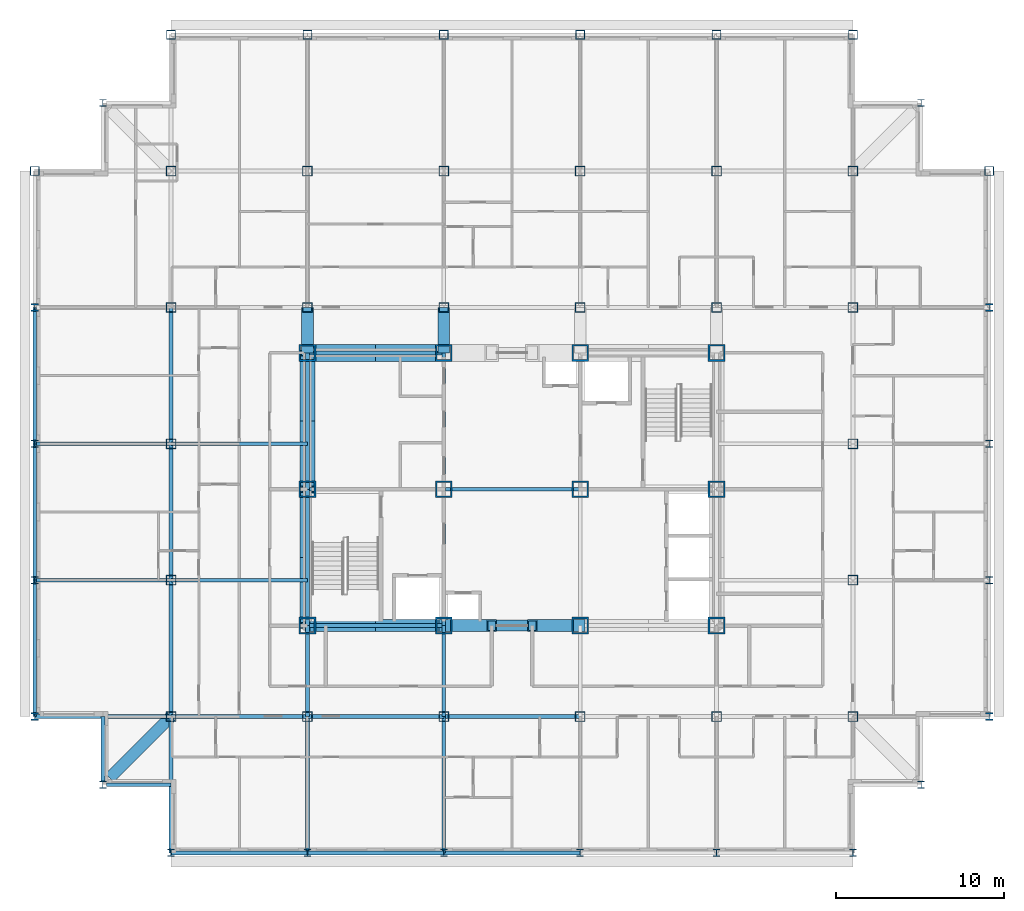
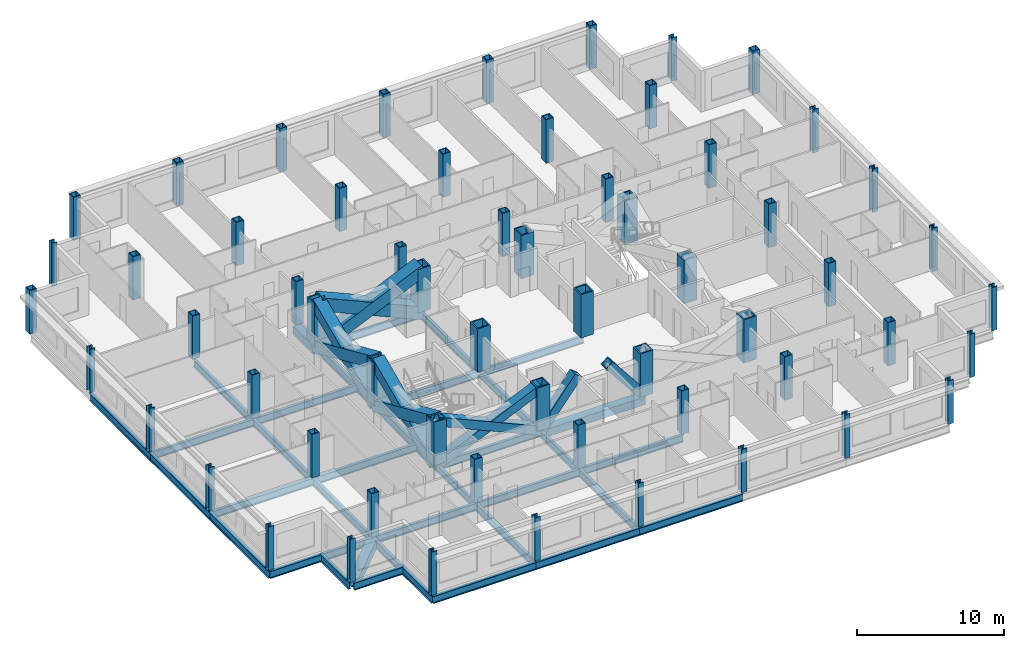
# One storey, part 1 of 12: 60 columns, 36 beams, 10 members.
"""IFC4 building model written with IfcOpenShell, lengths in metres."""

from ifc_helpers import new_model, si_unit, direction, frame, origin, origin_2d, place, context, subcontext, project, spatial, hollow_rectangle, i_section, extrude, material, material_profile, profile_set, type_object, element, save


model = new_model("IFC4")

# Units and contexts
model_context = context("Model", 3, precision=1e-05, world=origin(), true_north=direction((0.0, 1.0)))
body_context = subcontext(model_context, "Body", "Model", "MODEL_VIEW")
ifc_project = project(units=[si_unit("LENGTHUNIT", "METRE"), si_unit("AREAUNIT", "SQUARE_METRE"), si_unit("VOLUMEUNIT", "CUBIC_METRE"), si_unit("PLANEANGLEUNIT", "RADIAN"), si_unit("MASSUNIT", "GRAM", prefix="KILO")], contexts=[model_context])

# Site, building, storey
site_placement = place(None, origin())
site = spatial("IfcSite", under=ifc_project, at=site_placement, CompositionType="ELEMENT")
building_placement = place(site_placement, origin())
building = spatial("IfcBuilding", under=site, at=building_placement, Name="Kopane Lantern Tower", CompositionType="ELEMENT")
storey_placement = place(building_placement, frame((0.0, 0.0, 213.60009765625)))
storey = spatial("IfcBuildingStorey", under=building, at=storey_placement, Name="L55", CompositionType="ELEMENT", Elevation=213.60009765625)

# Columns
ifc_material_1 = material(Name="Steel S355JR", Category="steel")
ifc_material_profile_1 = material_profile(ifc_material_1, hollow_rectangle(XDim=1.0, YDim=1.0, WallThickness=0.10009765625, at=origin_2d()), Name="BOX 1000x1000x100")
ifc_profile_set_1 = profile_set([ifc_material_profile_1], Name="Steel S355JR")
column_type_1 = type_object("IfcColumnType", Name="COLUMN BOX 1000x1000x100", PredefinedType="COLUMN", material=ifc_profile_set_1)
for number, where, z_axis, x_axis, name in (
    (1, (16.199951171875, 24.300048828125, 0.0), (0.0, 0.0, 1.0), (1.0, 0.0, 0.0), "Column 4/E L55"),
    (2, (16.199951171875, 32.39990234375, 0.0), (0.0, 0.0, 1.0), (1.0, 0.0, 0.0), "Column 4/F L55"),
    (3, (16.199951171875, 40.5, 0.0), (0.0, 0.0, 1.0), (1.0, 0.0, 0.0), "Column 4/G L55"),
    (4, (24.300048828125, 24.300048828125, 0.0), (0.0, 0.0, 1.0), (1.0, 0.0, 0.0), "Column 5/E L55"),
    (5, (24.300048828125, 32.39990234375, 0.0), (0.0, 0.0, 1.0), (1.0, 0.0, 0.0), "Column 5/F L55"),
    (6, (24.300048828125, 40.5, 0.0), (0.0, 0.0, 1.0), (1.0, 0.0, 0.0), "Column 5/G L55"),
    (7, (32.39990234375, 24.300048828125, 0.0), (0.0, 0.0, 1.0), (1.0, 0.0, 0.0), "Column 6/E L55"),
    (8, (32.39990234375, 32.39990234375, 0.0), (0.0, 0.0, 1.0), (1.0, 0.0, 0.0), "Column 6/F L55"),
    (9, (32.39990234375, 40.5, 0.0), (0.0, 0.0, 1.0), (1.0, 0.0, 0.0), "Column 6/G L55"),
    (10, (40.5, 24.300048828125, 0.0), (0.0, 0.0, 1.0), (1.0, 0.0, 0.0), "Column 7/E L55"),
    (11, (40.5, 32.39990234375, 0.0), (0.0, 0.0, 1.0), (1.0, 0.0, 0.0), "Column 7/F L55"),
    (12, (40.5, 40.5, 0.0), (0.0, 0.0, 1.0), (1.0, 0.0, 0.0), "Column 7/G L55"),
):
    element("IfcColumn", number, at=place(storey_placement, frame(where, z_axis=z_axis, x_axis=x_axis)), inside=storey, type_object=column_type_1, Name=name, PredefinedType="COLUMN", context=body_context, shape_type="SweptSolid", body=[
        extrude(hollow_rectangle(XDim=1.0, YDim=1.0, WallThickness=0.10009765625, at=origin_2d()), origin(), (0.0, 0.0, 1.0), 3.599853515625),
    ])
ifc_material_2 = material(Name="Steel S355JR", Category="steel")
ifc_material_profile_2 = material_profile(ifc_material_2, hollow_rectangle(XDim=0.550048828125, YDim=0.550048828125, WallThickness=0.044921875, at=origin_2d()), Name="BOX 550x550x45")
ifc_profile_set_2 = profile_set([ifc_material_profile_2], Name="Steel S355JR")
column_type_2 = type_object("IfcColumnType", Name="COLUMN BOX 550x550x45", PredefinedType="COLUMN", material=ifc_profile_set_2)
for number, where, z_axis, x_axis, name in (
    (13, (0.0, 51.300048828125, 0.0), (0.0, 0.0, 1.0), (1.0, 0.0, 0.0), "Column 2/Q6 L55"),
    (14, (8.10009765625, 59.39990234375, 0.0), (0.0, 0.0, 1.0), (1.0, 0.0, 0.0), "Column 3/Q7 L55"),
    (15, (16.199951171875, 59.39990234375, 0.0), (0.0, 0.0, 1.0), (1.0, 0.0, 0.0), "Column 4/Q7 L55"),
    (16, (24.300048828125, 59.39990234375, 0.0), (0.0, 0.0, 1.0), (1.0, 0.0, 0.0), "Column 5/Q7 L55"),
    (17, (32.39990234375, 59.39990234375, 0.0), (0.0, 0.0, 1.0), (1.0, 0.0, 0.0), "Column 6/Q7 L55"),
    (18, (40.5, 59.39990234375, 0.0), (0.0, 0.0, 1.0), (1.0, 0.0, 0.0), "Column 7/Q7 L55"),
    (19, (48.60009765625, 59.39990234375, 0.0), (0.0, 0.0, 1.0), (1.0, 0.0, 0.0), "Column 8/Q7 L55"),
    (20, (56.699951171875, 51.300048828125, 0.0), (0.0, 0.0, 1.0), (1.0, 0.0, 0.0), "Column 9/Q6 L55"),
):
    element("IfcColumn", number, at=place(storey_placement, frame(where, z_axis=z_axis, x_axis=x_axis)), inside=storey, type_object=column_type_2, Name=name, PredefinedType="COLUMN", context=body_context, shape_type="SweptSolid", body=[
        extrude(hollow_rectangle(XDim=0.550048828125, YDim=0.550048828125, WallThickness=0.044921875, at=origin_2d()), origin(), (0.0, 0.0, 1.0), 3.599853515625),
    ])
ifc_material_3 = material(Name="Steel S355JR", Category="steel")
ifc_material_profile_3 = material_profile(ifc_material_3, hollow_rectangle(XDim=0.60009765625, YDim=0.60009765625, WallThickness=0.050048828125, at=origin_2d()), Name="BOX 600x600x50")
ifc_profile_set_3 = profile_set([ifc_material_profile_3], Name="Steel S355JR")
column_type_3 = type_object("IfcColumnType", Name="COLUMN BOX 600x600x50", PredefinedType="COLUMN", material=ifc_profile_set_3)
for number, where, z_axis, x_axis, name in (
    (21, (8.10009765625, 18.89990234375, 0.0), (0.0, 0.0, 1.0), (1.0, 0.0, 0.0), "Column 3/Q2 L55"),
    (22, (8.10009765625, 27.0, 0.0), (0.0, 0.0, 1.0), (1.0, 0.0, 0.0), "Column 3/Q3 L55"),
    (23, (8.10009765625, 35.10009765625, 0.0), (0.0, 0.0, 1.0), (1.0, 0.0, 0.0), "Column 3/Q4 L55"),
    (24, (8.10009765625, 43.199951171875, 0.0), (0.0, 0.0, 1.0), (1.0, 0.0, 0.0), "Column 3/Q5 L55"),
    (25, (8.10009765625, 51.300048828125, 0.0), (0.0, 0.0, 1.0), (1.0, 0.0, 0.0), "Column 3/Q6 L55"),
    (26, (16.199951171875, 18.89990234375, 0.0), (0.0, 0.0, 1.0), (1.0, 0.0, 0.0), "Column 4/Q2 L55"),
    (27, (16.199951171875, 43.199951171875, 0.0), (0.0, 0.0, 1.0), (1.0, 0.0, 0.0), "Column 4/Q5 L55"),
    (28, (16.199951171875, 51.300048828125, 0.0), (0.0, 0.0, 1.0), (1.0, 0.0, 0.0), "Column 4/Q6 L55"),
    (29, (24.300048828125, 18.89990234375, 0.0), (0.0, 0.0, 1.0), (1.0, 0.0, 0.0), "Column 5/Q2 L55"),
    (30, (24.300048828125, 43.199951171875, 0.0), (0.0, 0.0, 1.0), (1.0, 0.0, 0.0), "Column 5/Q5 L55"),
    (31, (24.300048828125, 51.300048828125, 0.0), (0.0, 0.0, 1.0), (1.0, 0.0, 0.0), "Column 5/Q6 L55"),
    (32, (32.39990234375, 18.89990234375, 0.0), (0.0, 0.0, 1.0), (1.0, 0.0, 0.0), "Column 6/Q2 L55"),
    (33, (32.39990234375, 43.199951171875, 0.0), (0.0, 0.0, 1.0), (1.0, 0.0, 0.0), "Column 6/Q5 L55"),
    (34, (32.39990234375, 51.300048828125, 0.0), (0.0, 0.0, 1.0), (1.0, 0.0, 0.0), "Column 6/Q6 L55"),
    (35, (40.5, 18.89990234375, 0.0), (0.0, 0.0, 1.0), (1.0, 0.0, 0.0), "Column 7/Q2 L55"),
    (36, (40.5, 43.199951171875, 0.0), (0.0, 0.0, 1.0), (1.0, 0.0, 0.0), "Column 7/Q5 L55"),
    (37, (40.5, 51.300048828125, 0.0), (0.0, 0.0, 1.0), (1.0, 0.0, 0.0), "Column 7/Q6 L55"),
    (38, (48.60009765625, 18.89990234375, 0.0), (0.0, 0.0, 1.0), (1.0, 0.0, 0.0), "Column 8/Q2 L55"),
    (39, (48.60009765625, 27.0, 0.0), (0.0, 0.0, 1.0), (1.0, 0.0, 0.0), "Column 8/Q3 L55"),
    (40, (48.60009765625, 35.10009765625, 0.0), (0.0, 0.0, 1.0), (1.0, 0.0, 0.0), "Column 8/Q4 L55"),
    (41, (48.60009765625, 43.199951171875, 0.0), (0.0, 0.0, 1.0), (1.0, 0.0, 0.0), "Column 8/Q5 L55"),
    (42, (48.60009765625, 51.300048828125, 0.0), (0.0, 0.0, 1.0), (1.0, 0.0, 0.0), "Column 8/Q6 L55"),
):
    element("IfcColumn", number, at=place(storey_placement, frame(where, z_axis=z_axis, x_axis=x_axis)), inside=storey, type_object=column_type_3, Name=name, PredefinedType="COLUMN", context=body_context, shape_type="SweptSolid", body=[
        extrude(hollow_rectangle(XDim=0.60009765625, YDim=0.60009765625, WallThickness=0.050048828125, at=origin_2d()), origin(), (0.0, 0.0, 1.0), 3.599853515625),
    ])
ifc_material_4 = material(Name="Steel S355JR", Category="steel")
ifc_material_profile_4 = material_profile(ifc_material_4, i_section(OverallWidth=0.406982421875, OverallDepth=0.4189453125, WebThickness=0.030517578125, FlangeThickness=0.04931640625, FilletRadius=0.01513671875, at=origin_2d()), Name="UC 356x406x393")
ifc_profile_set_4 = profile_set([ifc_material_profile_4], Name="Steel S355JR")
column_type_4 = type_object("IfcColumnType", Name="COLUMN UC 356x406x393", PredefinedType="COLUMN", material=ifc_profile_set_4)
for number, where, z_axis, x_axis, name in (
    (43, (4.050048828125, 14.85009765625, 0.0), (0.0, 0.0, 1.0), (1.0, 0.0, 0.0), "Column 4.05/14.85 L55"),
    (44, (4.050048828125, 55.35009765625, 0.0), (0.0, 0.0, 1.0), (1.0, 0.0, 0.0), "Column 4.05/55.35 L55"),
    (45, (52.64990234375, 14.85009765625, 0.0), (0.0, 0.0, 1.0), (1.0, 0.0, 0.0), "Column 52.65/14.85 L55"),
    (46, (52.64990234375, 55.35009765625, 0.0), (0.0, 0.0, 1.0), (1.0, 0.0, 0.0), "Column 52.65/55.35 L55"),
):
    element("IfcColumn", number, at=place(storey_placement, frame(where, z_axis=z_axis, x_axis=x_axis)), inside=storey, type_object=column_type_4, Name=name, PredefinedType="COLUMN", context=body_context, shape_type="SweptSolid", body=[
        extrude(i_section(OverallWidth=0.406982421875, OverallDepth=0.4189453125, WebThickness=0.030517578125, FlangeThickness=0.04931640625, FilletRadius=0.01513671875, at=origin_2d()), origin(), (0.0, 0.0, 1.0), 3.599853515625),
    ])
ifc_material_5 = material(Name="Steel S355JR", Category="steel")
ifc_material_profile_5 = material_profile(ifc_material_5, i_section(OverallWidth=0.41845703125, OverallDepth=0.45556640625, WebThickness=0.0419921875, FlangeThickness=0.0673828125, FilletRadius=0.01513671875, at=origin_2d()), Name="UC 356x406x551")
ifc_profile_set_5 = profile_set([ifc_material_profile_5], Name="Steel S355JR")
column_type_5 = type_object("IfcColumnType", Name="COLUMN UC 356x406x551", PredefinedType="COLUMN", material=ifc_profile_set_5)
for number, where, z_axis, x_axis, name in (
    (47, (0.0, 18.89990234375, 0.0), (0.0, 0.0, 1.0), (1.0, 0.0, 0.0), "Column 2/Q2 L55"),
    (48, (0.0, 27.0, 0.0), (0.0, 0.0, 1.0), (1.0, 0.0, 0.0), "Column 2/Q3 L55"),
    (49, (0.0, 35.10009765625, 0.0), (0.0, 0.0, 1.0), (1.0, 0.0, 0.0), "Column 2/Q4 L55"),
    (50, (0.0, 43.199951171875, 0.0), (0.0, 0.0, 1.0), (1.0, 0.0, 0.0), "Column 2/Q5 L55"),
    (51, (8.10009765625, 10.800048828125, 0.0), (0.0, 0.0, 1.0), (1.0, 0.0, 0.0), "Column 3/Q1 L55"),
    (52, (16.199951171875, 10.800048828125, 0.0), (0.0, 0.0, 1.0), (1.0, 0.0, 0.0), "Column 4/Q1 L55"),
    (53, (24.300048828125, 10.800048828125, 0.0), (0.0, 0.0, 1.0), (1.0, 0.0, 0.0), "Column 5/Q1 L55"),
    (54, (32.39990234375, 10.800048828125, 0.0), (0.0, 0.0, 1.0), (1.0, 0.0, 0.0), "Column 6/Q1 L55"),
    (55, (40.5, 10.800048828125, 0.0), (0.0, 0.0, 1.0), (1.0, 0.0, 0.0), "Column 7/Q1 L55"),
    (56, (48.60009765625, 10.800048828125, 0.0), (0.0, 0.0, 1.0), (1.0, 0.0, 0.0), "Column 8/Q1 L55"),
    (57, (56.699951171875, 18.89990234375, 0.0), (0.0, 0.0, 1.0), (1.0, 0.0, 0.0), "Column 9/Q2 L55"),
    (58, (56.699951171875, 27.0, 0.0), (0.0, 0.0, 1.0), (1.0, 0.0, 0.0), "Column 9/Q3 L55"),
    (59, (56.699951171875, 35.10009765625, 0.0), (0.0, 0.0, 1.0), (1.0, 0.0, 0.0), "Column 9/Q4 L55"),
    (60, (56.699951171875, 43.199951171875, 0.0), (0.0, 0.0, 1.0), (1.0, 0.0, 0.0), "Column 9/Q5 L55"),
):
    element("IfcColumn", number, at=place(storey_placement, frame(where, z_axis=z_axis, x_axis=x_axis)), inside=storey, type_object=column_type_5, Name=name, PredefinedType="COLUMN", context=body_context, shape_type="SweptSolid", body=[
        extrude(i_section(OverallWidth=0.41845703125, OverallDepth=0.45556640625, WebThickness=0.0419921875, FlangeThickness=0.0673828125, FilletRadius=0.01513671875, at=origin_2d()), origin(), (0.0, 0.0, 1.0), 3.599853515625),
    ])

# Members
ifc_material_6 = material(Name="Steel S355JR", Category="steel")
ifc_material_profile_6 = material_profile(ifc_material_6, hollow_rectangle(XDim=1.0, YDim=1.0, WallThickness=0.10009765625, at=origin_2d()), Name="BOX 1000x1000x100")
ifc_profile_set_6 = profile_set([ifc_material_profile_6], Name="Steel S355JR")
member_type_1 = type_object("IfcMemberType", Name="BRACE BOX 1000x1000x100", PredefinedType="BRACE", material=ifc_profile_set_6)
for number, where, z_axis, x_axis, name in (
    (61, (16.199951171875, 40.5, -0.210205078125), (0.913809277049, 0.0, 0.40614357705), (0.0, 1.0, 0.0), "Core brace L55"),
    (62, (24.300048828125, 40.5, -0.210205078125), (-0.913809277049, 0.0, 0.40614357705), (0.0, -1.0, 0.0), "Core brace L55"),
):
    element("IfcMember", number, at=place(storey_placement, frame(where, z_axis=z_axis, x_axis=x_axis)), inside=storey, type_object=member_type_1, Name=name, PredefinedType="BRACE", context=body_context, shape_type="SweptSolid", body=[
        extrude(hollow_rectangle(XDim=1.0, YDim=1.0, WallThickness=0.10009765625, at=origin_2d()), origin(), (0.0, 0.0, 1.0), 8.864013671875),
    ])
ifc_material_7 = material(Name="Steel S355JR", Category="steel")
ifc_material_profile_7 = material_profile(ifc_material_7, hollow_rectangle(XDim=0.699951171875, YDim=0.699951171875, WallThickness=0.06005859375, at=origin_2d()), Name="BOX 700x700x60")
ifc_profile_set_7 = profile_set([ifc_material_profile_7], Name="Steel S355JR")
member_type_2 = type_object("IfcMemberType", Name="BRACE BOX 700x700x60", PredefinedType="BRACE", material=ifc_profile_set_7)
for number, where, z_axis, x_axis, name in (
    (63, (16.199951171875, 24.300048828125, -0.210205078125), (0.913809277049, 0.0, 0.40614357705), (0.0, 1.0, 0.0), "Core brace L55"),
    (64, (24.300048828125, 24.300048828125, -0.210205078125), (-0.913809277049, 0.0, 0.40614357705), (0.0, -1.0, 0.0), "Core brace L55"),
):
    element("IfcMember", number, at=place(storey_placement, frame(where, z_axis=z_axis, x_axis=x_axis)), inside=storey, type_object=member_type_2, Name=name, PredefinedType="BRACE", context=body_context, shape_type="SweptSolid", body=[
        extrude(hollow_rectangle(XDim=0.699951171875, YDim=0.699951171875, WallThickness=0.06005859375, at=origin_2d()), origin(), (0.0, 0.0, 1.0), 8.864013671875),
    ])
for number, where, z_axis, x_axis, name in (
    (65, (24.300048828125, 24.300048828125, -0.210205078125), (0.620672981644, 0.0, 0.784069544018), (0.0, 1.0, 0.0), "Core brace L55"),
    (66, (32.39990234375, 24.300048828125, -0.210205078125), (-0.620672981644, 0.0, 0.784069544018), (0.0, -1.0, 0.0), "Core brace L55"),
):
    element("IfcMember", number, at=place(storey_placement, frame(where, z_axis=z_axis, x_axis=x_axis)), inside=storey, type_object=member_type_2, Name=name, PredefinedType="BRACE", context=body_context, shape_type="SweptSolid", body=[
        extrude(hollow_rectangle(XDim=0.699951171875, YDim=0.699951171875, WallThickness=0.06005859375, at=origin_2d()), origin(), (0.0, 0.0, 1.0), 4.591552734375),
    ])
ifc_material_8 = material(Name="Steel S355JR", Category="steel")
ifc_material_profile_8 = material_profile(ifc_material_8, hollow_rectangle(XDim=0.89990234375, YDim=0.89990234375, WallThickness=0.090087890625, at=origin_2d()), Name="BOX 900x900x90")
ifc_profile_set_8 = profile_set([ifc_material_profile_8], Name="Steel S355JR")
member_type_3 = type_object("IfcMemberType", Name="BRACE BOX 900x900x90", PredefinedType="BRACE", material=ifc_profile_set_8)
for number, where, z_axis, x_axis, name in (
    (67, (16.199951171875, 24.300048828125, -0.210205078125), (0.0, 0.91380473365, 0.406153799391), (-1.0, 0.0, 0.0), "Core brace L55"),
    (68, (16.199951171875, 32.39990234375, -0.210205078125), (0.0, -0.91380473365, 0.406153799391), (1.0, 0.0, 0.0), "Core brace L55"),
):
    element("IfcMember", number, at=place(storey_placement, frame(where, z_axis=z_axis, x_axis=x_axis)), inside=storey, type_object=member_type_3, Name=name, PredefinedType="BRACE", context=body_context, shape_type="SweptSolid", body=[
        extrude(hollow_rectangle(XDim=0.89990234375, YDim=0.89990234375, WallThickness=0.090087890625, at=origin_2d()), origin(), (0.0, 0.0, 1.0), 8.86376953125),
    ])
for number, where, z_axis, x_axis, name in (
    (69, (16.199951171875, 32.39990234375, -0.210205078125), (0.0, 0.913809277049, 0.40614357705), (-1.0, 0.0, 0.0), "Core brace L55"),
    (70, (16.199951171875, 40.5, -0.210205078125), (0.0, -0.913809277049, 0.40614357705), (1.0, 0.0, 0.0), "Core brace L55"),
):
    element("IfcMember", number, at=place(storey_placement, frame(where, z_axis=z_axis, x_axis=x_axis)), inside=storey, type_object=member_type_3, Name=name, PredefinedType="BRACE", context=body_context, shape_type="SweptSolid", body=[
        extrude(hollow_rectangle(XDim=0.89990234375, YDim=0.89990234375, WallThickness=0.090087890625, at=origin_2d()), origin(), (0.0, 0.0, 1.0), 8.864013671875),
    ])

# Beams
ifc_material_9 = material(Name="Steel S355JR", Category="steel")
ifc_material_profile_9 = material_profile(ifc_material_9, i_section(OverallWidth=0.22900390625, OverallDepth=0.6123046875, WebThickness=0.011962890625, FlangeThickness=0.01953125, FilletRadius=0.0126953125, at=origin_2d()), Name="UB 610x229x125")
ifc_profile_set_9 = profile_set([ifc_material_profile_9], Name="Steel S355JR")
beam_type_1 = type_object("IfcBeamType", Name="CORE BEAM UB 610x229x125", PredefinedType="BEAM", material=ifc_profile_set_9)
beam_1_placement = place(storey_placement, frame((16.199951171875, 32.39990234375, -0.51611328125), z_axis=(1.0, 0.0, 0.0), x_axis=(0.0, 1.0, 0.0)))
element("IfcBeam", 71, at=beam_1_placement, inside=storey, type_object=beam_type_1, Name="Core Beam L55", PredefinedType="BEAM", context=body_context, shape_type="SweptSolid", body=[
    extrude(i_section(OverallWidth=0.22900390625, OverallDepth=0.6123046875, WebThickness=0.011962890625, FlangeThickness=0.01953125, FilletRadius=0.0126953125, at=origin_2d()), origin(), (0.0, 0.0, 1.0), 8.10009765625),
])
beam_2_placement = place(storey_placement, frame((24.300048828125, 24.300048828125, -0.51611328125), z_axis=(0.0, 1.0, 0.0), x_axis=(-1.0, 0.0, 0.0)))
element("IfcBeam", 72, at=beam_2_placement, inside=storey, type_object=beam_type_1, Name="Core Beam L55", PredefinedType="BEAM", context=body_context, shape_type="SweptSolid", body=[
    extrude(i_section(OverallWidth=0.22900390625, OverallDepth=0.6123046875, WebThickness=0.011962890625, FlangeThickness=0.01953125, FilletRadius=0.0126953125, at=origin_2d()), origin(), (0.0, 0.0, 1.0), 8.099853515625),
])
beam_3_placement = place(storey_placement, frame((24.300048828125, 32.39990234375, -0.51611328125), z_axis=(0.0, 1.0, 0.0), x_axis=(-1.0, 0.0, 0.0)))
element("IfcBeam", 73, at=beam_3_placement, inside=storey, type_object=beam_type_1, Name="Core Beam L55", PredefinedType="BEAM", context=body_context, shape_type="SweptSolid", body=[
    extrude(i_section(OverallWidth=0.22900390625, OverallDepth=0.6123046875, WebThickness=0.011962890625, FlangeThickness=0.01953125, FilletRadius=0.0126953125, at=origin_2d()), origin(), (0.0, 0.0, 1.0), 8.10009765625),
])
beam_4_placement = place(storey_placement, frame((24.300048828125, 32.39990234375, -0.51611328125), z_axis=(1.0, 0.0, 0.0), x_axis=(0.0, 1.0, 0.0)))
element("IfcBeam", 74, at=beam_4_placement, inside=storey, type_object=beam_type_1, Name="Core Beam L55", PredefinedType="BEAM", context=body_context, shape_type="SweptSolid", body=[
    extrude(i_section(OverallWidth=0.22900390625, OverallDepth=0.6123046875, WebThickness=0.011962890625, FlangeThickness=0.01953125, FilletRadius=0.0126953125, at=origin_2d()), origin(), (0.0, 0.0, 1.0), 8.099853515625),
])
ifc_material_10 = material(Name="Steel S355JR", Category="steel")
ifc_material_profile_10 = material_profile(ifc_material_10, hollow_rectangle(XDim=0.699951171875, YDim=0.699951171875, WallThickness=0.06005859375, at=origin_2d()), Name="BOX 700x700x60")
ifc_profile_set_10 = profile_set([ifc_material_profile_10], Name="Steel S355JR")
beam_type_2 = type_object("IfcBeamType", Name="CORNER TIE BEAM BOX 700x700x60", PredefinedType="BEAM", material=ifc_profile_set_10)
beam_5_placement = place(storey_placement, frame((4.447509765625, 15.24755859375, -0.56005859375), z_axis=(0.70713041325, 0.707083148333, 0.0), x_axis=(-0.707083148333, 0.70713041325, 0.0)))
element("IfcBeam", 75, at=beam_5_placement, inside=storey, type_object=beam_type_2, Name="Corner Tie Beam L55", PredefinedType="BEAM", context=body_context, shape_type="SweptSolid", body=[
    extrude(hollow_rectangle(XDim=0.699951171875, YDim=0.699951171875, WallThickness=0.06005859375, at=origin_2d()), origin(), (0.0, 0.0, 1.0), 5.165283203125),
])
ifc_material_11 = material(Name="Steel S355JR", Category="steel")
ifc_material_profile_11 = material_profile(ifc_material_11, i_section(OverallWidth=0.22900390625, OverallDepth=0.6123046875, WebThickness=0.011962890625, FlangeThickness=0.01953125, FilletRadius=0.0126953125, at=origin_2d()), Name="UB 610x229x125")
ifc_profile_set_11 = profile_set([ifc_material_profile_11], Name="Steel S355JR")
beam_type_3 = type_object("IfcBeamType", Name="EDGE BEAM UB 610x229x125", PredefinedType="BEAM", material=ifc_profile_set_11)
beam_6_placement = place(storey_placement, frame((4.050048828125, 15.053466796875, -0.51611328125), z_axis=(0.0, 1.0, 0.0), x_axis=(-1.0, 0.0, 0.0)))
element("IfcBeam", 76, at=beam_6_placement, inside=storey, type_object=beam_type_3, Name="Edge Beam L55", PredefinedType="BEAM", context=body_context, shape_type="SweptSolid", body=[
    extrude(i_section(OverallWidth=0.22900390625, OverallDepth=0.6123046875, WebThickness=0.011962890625, FlangeThickness=0.01953125, FilletRadius=0.0126953125, at=origin_2d()), origin(), (0.0, 0.0, 1.0), 3.846435546875),
])
beam_7_placement = place(storey_placement, frame((4.25341796875, 14.85009765625, -0.51611328125), z_axis=(1.0, 0.0, 0.0), x_axis=(0.0, 1.0, 0.0)))
element("IfcBeam", 77, at=beam_7_placement, inside=storey, type_object=beam_type_3, Name="Edge Beam L55", PredefinedType="BEAM", context=body_context, shape_type="SweptSolid", body=[
    extrude(i_section(OverallWidth=0.22900390625, OverallDepth=0.6123046875, WebThickness=0.011962890625, FlangeThickness=0.01953125, FilletRadius=0.0126953125, at=origin_2d()), origin(), (0.0, 0.0, 1.0), 3.8466796875),
])
ifc_material_12 = material(Name="Steel S355JR", Category="steel")
ifc_material_profile_12 = material_profile(ifc_material_12, hollow_rectangle(XDim=0.699951171875, YDim=0.699951171875, WallThickness=0.06005859375, at=origin_2d()), Name="BOX 700x700x60")
ifc_profile_set_12 = profile_set([ifc_material_profile_12], Name="Steel S355JR")
beam_type_4 = type_object("IfcBeamType", Name="GIRDER BOX 700x700x60", PredefinedType="BEAM", material=ifc_profile_set_12)
for number, where, z_axis, x_axis, name in (
    (78, (16.199951171875, 40.5, -0.56005859375), (0.0, 1.0, 0.0), (-1.0, 0.0, 0.0), "Girder L55"),
    (79, (24.300048828125, 40.5, -0.56005859375), (0.0, 1.0, 0.0), (-1.0, 0.0, 0.0), "Girder L55"),
):
    element("IfcBeam", number, at=place(storey_placement, frame(where, z_axis=z_axis, x_axis=x_axis)), inside=storey, type_object=beam_type_4, Name=name, PredefinedType="BEAM", context=body_context, shape_type="SweptSolid", body=[
        extrude(hollow_rectangle(XDim=0.699951171875, YDim=0.699951171875, WallThickness=0.06005859375, at=origin_2d()), origin(), (0.0, 0.0, 1.0), 2.699951171875),
    ])
ifc_material_13 = material(Name="Steel S355JR", Category="steel")
ifc_material_profile_13 = material_profile(ifc_material_13, i_section(OverallWidth=0.22900390625, OverallDepth=0.6123046875, WebThickness=0.011962890625, FlangeThickness=0.01953125, FilletRadius=0.0126953125, at=origin_2d()), Name="UB 610x229x125")
ifc_profile_set_13 = profile_set([ifc_material_profile_13], Name="Steel S355JR")
beam_type_5 = type_object("IfcBeamType", Name="GIRDER UB 610x229x125", PredefinedType="BEAM", material=ifc_profile_set_13)
for number, where, z_axis, x_axis, name in (
    (80, (0.0, 18.89990234375, -0.51611328125), (0.0, 1.0, 0.0), (-1.0, 0.0, 0.0), "Girder L55"),
    (81, (0.0, 18.89990234375, -0.51611328125), (1.0, 0.0, 0.0), (0.0, 1.0, 0.0), "Girder L55"),
    (82, (0.0, 27.0, -0.51611328125), (0.0, 1.0, 0.0), (-1.0, 0.0, 0.0), "Girder L55"),
    (83, (0.0, 27.0, -0.51611328125), (1.0, 0.0, 0.0), (0.0, 1.0, 0.0), "Girder L55"),
):
    element("IfcBeam", number, at=place(storey_placement, frame(where, z_axis=z_axis, x_axis=x_axis)), inside=storey, type_object=beam_type_5, Name=name, PredefinedType="BEAM", context=body_context, shape_type="SweptSolid", body=[
        extrude(i_section(OverallWidth=0.22900390625, OverallDepth=0.6123046875, WebThickness=0.011962890625, FlangeThickness=0.01953125, FilletRadius=0.0126953125, at=origin_2d()), origin(), (0.0, 0.0, 1.0), 8.10009765625),
    ])
beam_8_placement = place(storey_placement, frame((0.0, 35.10009765625, -0.51611328125), z_axis=(0.0, 1.0, 0.0), x_axis=(-1.0, 0.0, 0.0)))
element("IfcBeam", 84, at=beam_8_placement, inside=storey, type_object=beam_type_5, Name="Girder L55", PredefinedType="BEAM", context=body_context, shape_type="SweptSolid", body=[
    extrude(i_section(OverallWidth=0.22900390625, OverallDepth=0.6123046875, WebThickness=0.011962890625, FlangeThickness=0.01953125, FilletRadius=0.0126953125, at=origin_2d()), origin(), (0.0, 0.0, 1.0), 8.099853515625),
])
beam_9_placement = place(storey_placement, frame((0.0, 35.10009765625, -0.51611328125), z_axis=(1.0, 0.0, 0.0), x_axis=(0.0, 1.0, 0.0)))
element("IfcBeam", 85, at=beam_9_placement, inside=storey, type_object=beam_type_5, Name="Girder L55", PredefinedType="BEAM", context=body_context, shape_type="SweptSolid", body=[
    extrude(i_section(OverallWidth=0.22900390625, OverallDepth=0.6123046875, WebThickness=0.011962890625, FlangeThickness=0.01953125, FilletRadius=0.0126953125, at=origin_2d()), origin(), (0.0, 0.0, 1.0), 8.10009765625),
])
for number, where, z_axis, x_axis, name in (
    (86, (8.10009765625, 10.800048828125, -0.51611328125), (0.0, 1.0, 0.0), (-1.0, 0.0, 0.0), "Girder L55"),
    (87, (8.10009765625, 10.800048828125, -0.51611328125), (1.0, 0.0, 0.0), (0.0, 1.0, 0.0), "Girder L55"),
):
    element("IfcBeam", number, at=place(storey_placement, frame(where, z_axis=z_axis, x_axis=x_axis)), inside=storey, type_object=beam_type_5, Name=name, PredefinedType="BEAM", context=body_context, shape_type="SweptSolid", body=[
        extrude(i_section(OverallWidth=0.22900390625, OverallDepth=0.6123046875, WebThickness=0.011962890625, FlangeThickness=0.01953125, FilletRadius=0.0126953125, at=origin_2d()), origin(), (0.0, 0.0, 1.0), 8.099853515625),
    ])
beam_10_placement = place(storey_placement, frame((8.10009765625, 18.89990234375, -0.51611328125), z_axis=(0.0, 1.0, 0.0), x_axis=(-1.0, 0.0, 0.0)))
element("IfcBeam", 88, at=beam_10_placement, inside=storey, type_object=beam_type_5, Name="Girder L55", PredefinedType="BEAM", context=body_context, shape_type="SweptSolid", body=[
    extrude(i_section(OverallWidth=0.22900390625, OverallDepth=0.6123046875, WebThickness=0.011962890625, FlangeThickness=0.01953125, FilletRadius=0.0126953125, at=origin_2d()), origin(), (0.0, 0.0, 1.0), 8.10009765625),
])
beam_11_placement = place(storey_placement, frame((8.10009765625, 18.89990234375, -0.51611328125), z_axis=(1.0, 0.0, 0.0), x_axis=(0.0, 1.0, 0.0)))
element("IfcBeam", 89, at=beam_11_placement, inside=storey, type_object=beam_type_5, Name="Girder L55", PredefinedType="BEAM", context=body_context, shape_type="SweptSolid", body=[
    extrude(i_section(OverallWidth=0.22900390625, OverallDepth=0.6123046875, WebThickness=0.011962890625, FlangeThickness=0.01953125, FilletRadius=0.0126953125, at=origin_2d()), origin(), (0.0, 0.0, 1.0), 8.099853515625),
])
beam_12_placement = place(storey_placement, frame((8.10009765625, 27.0, -0.51611328125), z_axis=(0.0, 1.0, 0.0), x_axis=(-1.0, 0.0, 0.0)))
element("IfcBeam", 90, at=beam_12_placement, inside=storey, type_object=beam_type_5, Name="Girder L55", PredefinedType="BEAM", context=body_context, shape_type="SweptSolid", body=[
    extrude(i_section(OverallWidth=0.22900390625, OverallDepth=0.6123046875, WebThickness=0.011962890625, FlangeThickness=0.01953125, FilletRadius=0.0126953125, at=origin_2d()), origin(), (0.0, 0.0, 1.0), 8.10009765625),
])
for number, where, z_axis, x_axis, name in (
    (91, (8.10009765625, 27.0, -0.51611328125), (1.0, 0.0, 0.0), (0.0, 1.0, 0.0), "Girder L55"),
    (92, (8.10009765625, 35.10009765625, -0.51611328125), (0.0, 1.0, 0.0), (-1.0, 0.0, 0.0), "Girder L55"),
    (93, (8.10009765625, 35.10009765625, -0.51611328125), (1.0, 0.0, 0.0), (0.0, 1.0, 0.0), "Girder L55"),
    (94, (16.199951171875, 10.800048828125, -0.51611328125), (0.0, 1.0, 0.0), (-1.0, 0.0, 0.0), "Girder L55"),
):
    element("IfcBeam", number, at=place(storey_placement, frame(where, z_axis=z_axis, x_axis=x_axis)), inside=storey, type_object=beam_type_5, Name=name, PredefinedType="BEAM", context=body_context, shape_type="SweptSolid", body=[
        extrude(i_section(OverallWidth=0.22900390625, OverallDepth=0.6123046875, WebThickness=0.011962890625, FlangeThickness=0.01953125, FilletRadius=0.0126953125, at=origin_2d()), origin(), (0.0, 0.0, 1.0), 8.099853515625),
    ])
beam_13_placement = place(storey_placement, frame((16.199951171875, 10.800048828125, -0.51611328125), z_axis=(1.0, 0.0, 0.0), x_axis=(0.0, 1.0, 0.0)))
element("IfcBeam", 95, at=beam_13_placement, inside=storey, type_object=beam_type_5, Name="Girder L55", PredefinedType="BEAM", context=body_context, shape_type="SweptSolid", body=[
    extrude(i_section(OverallWidth=0.22900390625, OverallDepth=0.6123046875, WebThickness=0.011962890625, FlangeThickness=0.01953125, FilletRadius=0.0126953125, at=origin_2d()), origin(), (0.0, 0.0, 1.0), 8.10009765625),
])
beam_14_placement = place(storey_placement, frame((16.199951171875, 18.89990234375, -0.51611328125), z_axis=(0.0, 1.0, 0.0), x_axis=(-1.0, 0.0, 0.0)))
element("IfcBeam", 96, at=beam_14_placement, inside=storey, type_object=beam_type_5, Name="Girder L55", PredefinedType="BEAM", context=body_context, shape_type="SweptSolid", body=[
    extrude(i_section(OverallWidth=0.22900390625, OverallDepth=0.6123046875, WebThickness=0.011962890625, FlangeThickness=0.01953125, FilletRadius=0.0126953125, at=origin_2d()), origin(), (0.0, 0.0, 1.0), 5.400146484375),
])
beam_15_placement = place(storey_placement, frame((16.199951171875, 18.89990234375, -0.51611328125), z_axis=(1.0, 0.0, 0.0), x_axis=(0.0, 1.0, 0.0)))
element("IfcBeam", 97, at=beam_15_placement, inside=storey, type_object=beam_type_5, Name="Girder L55", PredefinedType="BEAM", context=body_context, shape_type="SweptSolid", body=[
    extrude(i_section(OverallWidth=0.22900390625, OverallDepth=0.6123046875, WebThickness=0.011962890625, FlangeThickness=0.01953125, FilletRadius=0.0126953125, at=origin_2d()), origin(), (0.0, 0.0, 1.0), 8.10009765625),
])
beam_16_placement = place(storey_placement, frame((16.199951171875, 24.300048828125, -0.51611328125), z_axis=(0.0, 1.0, 0.0), x_axis=(-1.0, 0.0, 0.0)))
element("IfcBeam", 98, at=beam_16_placement, inside=storey, type_object=beam_type_5, Name="Girder L55", PredefinedType="BEAM", context=body_context, shape_type="SweptSolid", body=[
    extrude(i_section(OverallWidth=0.22900390625, OverallDepth=0.6123046875, WebThickness=0.011962890625, FlangeThickness=0.01953125, FilletRadius=0.0126953125, at=origin_2d()), origin(), (0.0, 0.0, 1.0), 8.099853515625),
])
for number, where, z_axis, x_axis, name in (
    (99, (16.199951171875, 24.300048828125, -0.51611328125), (1.0, 0.0, 0.0), (0.0, 1.0, 0.0), "Girder L55"),
    (100, (16.199951171875, 32.39990234375, -0.51611328125), (0.0, 1.0, 0.0), (-1.0, 0.0, 0.0), "Girder L55"),
    (101, (16.199951171875, 40.5, -0.51611328125), (1.0, 0.0, 0.0), (0.0, 1.0, 0.0), "Girder L55"),
):
    element("IfcBeam", number, at=place(storey_placement, frame(where, z_axis=z_axis, x_axis=x_axis)), inside=storey, type_object=beam_type_5, Name=name, PredefinedType="BEAM", context=body_context, shape_type="SweptSolid", body=[
        extrude(i_section(OverallWidth=0.22900390625, OverallDepth=0.6123046875, WebThickness=0.011962890625, FlangeThickness=0.01953125, FilletRadius=0.0126953125, at=origin_2d()), origin(), (0.0, 0.0, 1.0), 8.10009765625),
    ])
for number, where, z_axis, x_axis, name in (
    (102, (24.300048828125, 10.800048828125, -0.51611328125), (0.0, 1.0, 0.0), (-1.0, 0.0, 0.0), "Girder L55"),
    (103, (24.300048828125, 10.800048828125, -0.51611328125), (1.0, 0.0, 0.0), (0.0, 1.0, 0.0), "Girder L55"),
):
    element("IfcBeam", number, at=place(storey_placement, frame(where, z_axis=z_axis, x_axis=x_axis)), inside=storey, type_object=beam_type_5, Name=name, PredefinedType="BEAM", context=body_context, shape_type="SweptSolid", body=[
        extrude(i_section(OverallWidth=0.22900390625, OverallDepth=0.6123046875, WebThickness=0.011962890625, FlangeThickness=0.01953125, FilletRadius=0.0126953125, at=origin_2d()), origin(), (0.0, 0.0, 1.0), 8.099853515625),
    ])
beam_17_placement = place(storey_placement, frame((24.300048828125, 18.89990234375, -0.51611328125), z_axis=(0.0, 1.0, 0.0), x_axis=(-1.0, 0.0, 0.0)))
element("IfcBeam", 104, at=beam_17_placement, inside=storey, type_object=beam_type_5, Name="Girder L55", PredefinedType="BEAM", context=body_context, shape_type="SweptSolid", body=[
    extrude(i_section(OverallWidth=0.22900390625, OverallDepth=0.6123046875, WebThickness=0.011962890625, FlangeThickness=0.01953125, FilletRadius=0.0126953125, at=origin_2d()), origin(), (0.0, 0.0, 1.0), 5.400146484375),
])
beam_18_placement = place(storey_placement, frame((24.300048828125, 18.89990234375, -0.51611328125), z_axis=(1.0, 0.0, 0.0), x_axis=(0.0, 1.0, 0.0)))
element("IfcBeam", 105, at=beam_18_placement, inside=storey, type_object=beam_type_5, Name="Girder L55", PredefinedType="BEAM", context=body_context, shape_type="SweptSolid", body=[
    extrude(i_section(OverallWidth=0.22900390625, OverallDepth=0.6123046875, WebThickness=0.011962890625, FlangeThickness=0.01953125, FilletRadius=0.0126953125, at=origin_2d()), origin(), (0.0, 0.0, 1.0), 8.099853515625),
])
ifc_material_14 = material(Name="Steel S355JR", Category="steel")
ifc_material_profile_14 = material_profile(ifc_material_14, hollow_rectangle(XDim=0.64990234375, YDim=0.64990234375, WallThickness=0.070068359375, at=origin_2d()), Name="BOX 650x650x70")
ifc_profile_set_14 = profile_set([ifc_material_profile_14], Name="Steel S355JR")
beam_type_6 = type_object("IfcBeamType", Name="LINK BEAM BOX 650x650x70", PredefinedType="BEAM", material=ifc_profile_set_14)
beam_19_placement = place(storey_placement, frame((24.300048828125, 24.300048828125, -0.53515625), z_axis=(1.0, 0.0, 0.0), x_axis=(0.0, 1.0, 0.0)))
element("IfcBeam", 106, at=beam_19_placement, inside=storey, type_object=beam_type_6, Name="Link Beam L55", PredefinedType="BEAM", context=body_context, shape_type="SweptSolid", body=[
    extrude(hollow_rectangle(XDim=0.64990234375, YDim=0.64990234375, WallThickness=0.070068359375, at=origin_2d()), origin(), (0.0, 0.0, 1.0), 8.099853515625),
])

save(model, "model.ifc")
